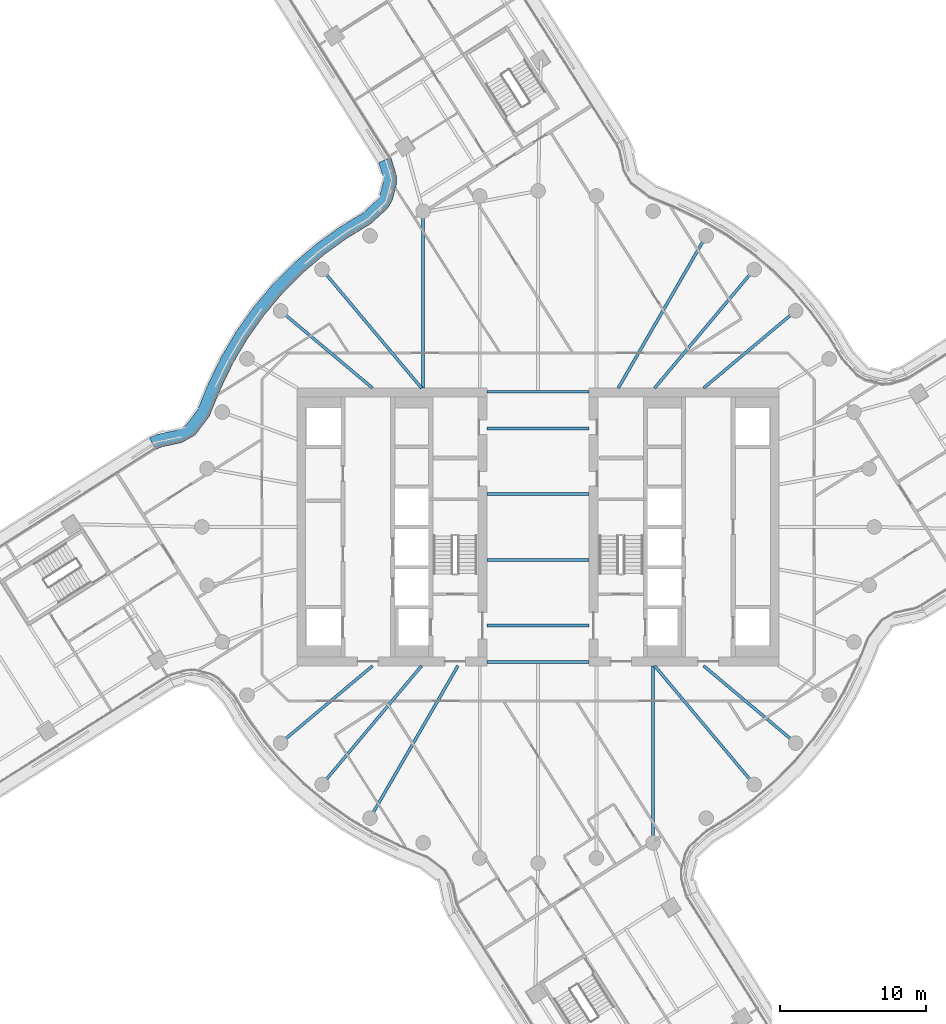
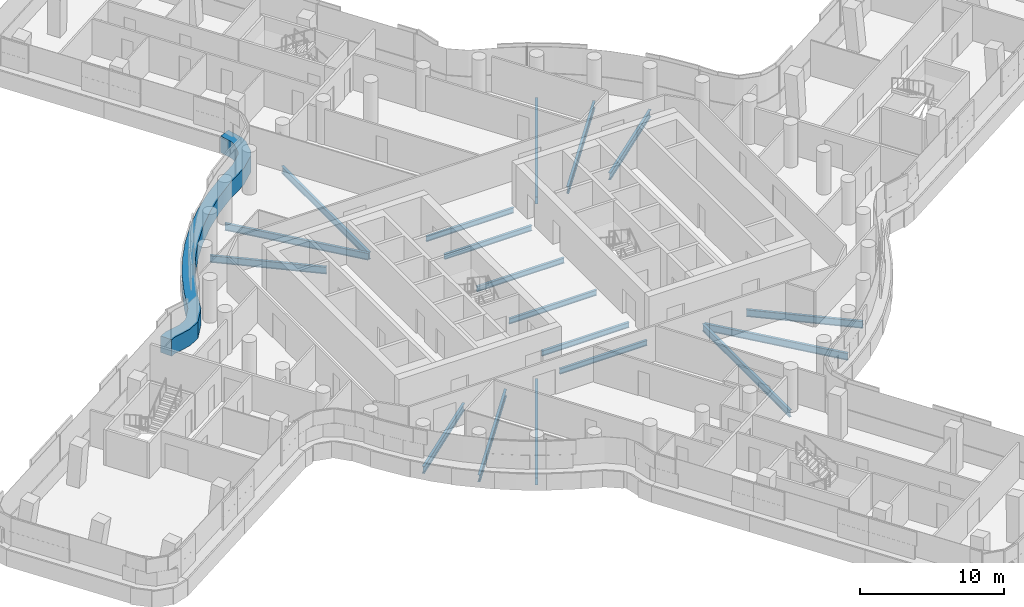
# One storey, part 10 of 36: 18 beams, 1 member, 1 element without a shape of its own.
"""IFC4 building model written with IfcOpenShell, lengths in metres."""

from ifc_helpers import new_model, si_unit, direction, frame, origin, origin_2d, place, context, subcontext, project, spatial, polyline, i_section, outline, extrude, material, layer, layer_set, material_profile, profile_set, type_object, element, aggregate, save


model = new_model("IFC4")

# Units and contexts
model_context = context("Model", 3, precision=1e-05, world=origin(), true_north=direction((0.0, 1.0)))
body_context = subcontext(model_context, "Body", "Model", "MODEL_VIEW")
ifc_project = project(units=[si_unit("LENGTHUNIT", "METRE"), si_unit("AREAUNIT", "SQUARE_METRE"), si_unit("VOLUMEUNIT", "CUBIC_METRE"), si_unit("PLANEANGLEUNIT", "RADIAN"), si_unit("MASSUNIT", "GRAM", prefix="KILO")], contexts=[model_context])

# Site, building, storey
site_placement = place(None, origin())
site = spatial("IfcSite", under=ifc_project, at=site_placement, CompositionType="ELEMENT")
building_placement = place(site_placement, origin())
building = spatial("IfcBuilding", under=site, at=building_placement, Name="Tamarind Cross Interchange Tower", CompositionType="ELEMENT")
storey_placement = place(building_placement, frame((0.0, 0.0, 151.75)))
storey = spatial("IfcBuildingStorey", under=building, at=storey_placement, Name="L37", CompositionType="ELEMENT", Elevation=151.75)

# Beams
ifc_material_1 = material(Name="Steel Q355B", Category="steel")
ifc_material_profile_1 = material_profile(ifc_material_1, i_section(OverallWidth=0.198974609375, OverallDepth=0.446044921875, WebThickness=0.008056640625, FlangeThickness=0.011962890625, FilletRadius=0.012939453125, at=origin_2d()), Name="HN 446x199x8x12")
ifc_profile_set_1 = profile_set([ifc_material_profile_1], Name="Steel Q355B")
beam_type_1 = type_object("IfcBeamType", Name="Composite beam HN 446x199x8x12 Q355B", PredefinedType="BEAM", material=ifc_profile_set_1)
for number, where, z_axis, x_axis, name in (
    (1, (-3.5, -2.25, -0.363037109375), (1.0, 0.0, 0.0), (0.0, 1.0, 0.0), "Beam G-2.25"),
    (2, (-3.5, -6.75, -0.363037109375), (1.0, 0.0, 0.0), (0.0, 1.0, 0.0), "Beam G-6.75"),
    (3, (-3.5, -9.25, -0.363037109375), (1.0, 0.0, 0.0), (0.0, 1.0, 0.0), "Beam G-9.25"),
    (4, (-3.5, 2.25, -0.363037109375), (1.0, 0.0, 0.0), (0.0, 1.0, 0.0), "Beam G2.25"),
    (5, (-3.5, 6.75, -0.363037109375), (1.0, 0.0, 0.0), (0.0, 1.0, 0.0), "Beam G6.75"),
    (6, (-3.5, 9.25, -0.363037109375), (1.0, 0.0, 0.0), (0.0, 1.0, 0.0), "Beam G9.25"),
):
    element("IfcBeam", number, at=place(storey_placement, frame(where, z_axis=z_axis, x_axis=x_axis)), inside=storey, type_object=beam_type_1, Name=name, PredefinedType="BEAM", context=body_context, shape_type="SweptSolid", body=[
        extrude(i_section(OverallWidth=0.198974609375, OverallDepth=0.446044921875, WebThickness=0.008056640625, FlangeThickness=0.011962890625, FilletRadius=0.012939453125, at=origin_2d()), origin(), (0.0, 0.0, 1.0), 7.0),
    ])
ifc_material_profile_2 = material_profile(ifc_material_1, i_section(OverallWidth=0.198974609375, OverallDepth=0.595947265625, WebThickness=0.010009765625, FlangeThickness=0.014892578125, FilletRadius=0.012939453125, at=origin_2d()), Name="HN 596x199x10x15")
ifc_profile_set_2 = profile_set([ifc_material_profile_2], Name="Steel Q355B")
beam_type_2 = type_object("IfcBeamType", Name="Composite beam HN 596x199x10x15 Q355B", PredefinedType="BEAM", material=ifc_profile_set_2)
beam_1_placement = place(storey_placement, frame((17.619140625, 14.7841796875, -0.43798828125), z_axis=(-0.766040580814, -0.642792212574, 0.0), x_axis=(0.642792212574, -0.766040580814, 0.0)))
element("IfcBeam", 7, at=beam_1_placement, inside=storey, type_object=beam_type_2, Name="Beam HH04", PredefinedType="BEAM", context=body_context, shape_type="SweptSolid", body=[
    extrude(i_section(OverallWidth=0.198974609375, OverallDepth=0.595947265625, WebThickness=0.010009765625, FlangeThickness=0.014892578125, FilletRadius=0.012939453125, at=origin_2d()), origin(), (0.0, 0.0, 1.0), 8.220703125),
])
beam_2_placement = place(storey_placement, frame((14.7841796875, 17.619140625, -0.43798828125), z_axis=(-0.642786293979, -0.766045547127, 0.0), x_axis=(0.766045547127, -0.642786293979, 0.0)))
element("IfcBeam", 8, at=beam_2_placement, inside=storey, type_object=beam_type_2, Name="Beam HH05", PredefinedType="BEAM", context=body_context, shape_type="SweptSolid", body=[
    extrude(i_section(OverallWidth=0.198974609375, OverallDepth=0.595947265625, WebThickness=0.010009765625, FlangeThickness=0.014892578125, FilletRadius=0.012939453125, at=origin_2d()), origin(), (0.0, 0.0, 1.0), 10.598876953125),
])
beam_3_placement = place(storey_placement, frame((11.5, 19.918701171875, -0.43798828125), z_axis=(-0.499993565836, -0.866029118519, 0.0), x_axis=(0.866029118519, -0.499993565836, 0.0)))
element("IfcBeam", 9, at=beam_3_placement, inside=storey, type_object=beam_type_2, Name="Beam HH06", PredefinedType="BEAM", context=body_context, shape_type="SweptSolid", body=[
    extrude(i_section(OverallWidth=0.198974609375, OverallDepth=0.595947265625, WebThickness=0.010009765625, FlangeThickness=0.014892578125, FilletRadius=0.012939453125, at=origin_2d()), origin(), (0.0, 0.0, 1.0), 12.030517578125),
])
beam_4_placement = place(storey_placement, frame((-7.866455078125, 21.613037109375, -0.43798828125), z_axis=(0.0, -1.0, 0.0), x_axis=(1.0, 0.0, 0.0)))
element("IfcBeam", 10, at=beam_4_placement, inside=storey, type_object=beam_type_2, Name="Beam HH11", PredefinedType="BEAM", context=body_context, shape_type="SweptSolid", body=[
    extrude(i_section(OverallWidth=0.198974609375, OverallDepth=0.595947265625, WebThickness=0.010009765625, FlangeThickness=0.014892578125, FilletRadius=0.012939453125, at=origin_2d()), origin(), (0.0, 0.0, 1.0), 12.113037109375),
])
beam_5_placement = place(storey_placement, frame((-14.7841796875, 17.619140625, -0.43798828125), z_axis=(0.642786293979, -0.766045547127, 0.0), x_axis=(0.766045547127, 0.642786293979, 0.0)))
element("IfcBeam", 11, at=beam_5_placement, inside=storey, type_object=beam_type_2, Name="Beam HH13", PredefinedType="BEAM", context=body_context, shape_type="SweptSolid", body=[
    extrude(i_section(OverallWidth=0.198974609375, OverallDepth=0.595947265625, WebThickness=0.010009765625, FlangeThickness=0.014892578125, FilletRadius=0.012939453125, at=origin_2d()), origin(), (0.0, 0.0, 1.0), 10.598876953125),
])
for number, where, z_axis, x_axis, name in (
    (12, (-17.619140625, 14.7841796875, -0.43798828125), (0.766040580814, -0.642792212574, 0.0), (0.642792212574, 0.766040580814, 0.0), "Beam HH14"),
    (13, (-17.619140625, -14.7841796875, -0.43798828125), (0.766040580814, 0.642792212574, 0.0), (-0.642792212574, 0.766040580814, 0.0), "Beam HH22"),
):
    element("IfcBeam", number, at=place(storey_placement, frame(where, z_axis=z_axis, x_axis=x_axis)), inside=storey, type_object=beam_type_2, Name=name, PredefinedType="BEAM", context=body_context, shape_type="SweptSolid", body=[
        extrude(i_section(OverallWidth=0.198974609375, OverallDepth=0.595947265625, WebThickness=0.010009765625, FlangeThickness=0.014892578125, FilletRadius=0.012939453125, at=origin_2d()), origin(), (0.0, 0.0, 1.0), 8.220703125),
    ])
beam_6_placement = place(storey_placement, frame((-14.7841796875, -17.619140625, -0.43798828125), z_axis=(0.642786293979, 0.766045547127, 0.0), x_axis=(-0.766045547127, 0.642786293979, 0.0)))
element("IfcBeam", 14, at=beam_6_placement, inside=storey, type_object=beam_type_2, Name="Beam HH23", PredefinedType="BEAM", context=body_context, shape_type="SweptSolid", body=[
    extrude(i_section(OverallWidth=0.198974609375, OverallDepth=0.595947265625, WebThickness=0.010009765625, FlangeThickness=0.014892578125, FilletRadius=0.012939453125, at=origin_2d()), origin(), (0.0, 0.0, 1.0), 10.598876953125),
])
beam_7_placement = place(storey_placement, frame((-11.5, -19.918701171875, -0.43798828125), z_axis=(0.499993565836, 0.866029118519, 0.0), x_axis=(-0.866029118519, 0.499993565836, 0.0)))
element("IfcBeam", 15, at=beam_7_placement, inside=storey, type_object=beam_type_2, Name="Beam HH24", PredefinedType="BEAM", context=body_context, shape_type="SweptSolid", body=[
    extrude(i_section(OverallWidth=0.198974609375, OverallDepth=0.595947265625, WebThickness=0.010009765625, FlangeThickness=0.014892578125, FilletRadius=0.012939453125, at=origin_2d()), origin(), (0.0, 0.0, 1.0), 12.030517578125),
])
beam_8_placement = place(storey_placement, frame((7.866455078125, -21.613037109375, -0.43798828125), z_axis=(0.0, 1.0, 0.0), x_axis=(-1.0, 0.0, 0.0)))
element("IfcBeam", 16, at=beam_8_placement, inside=storey, type_object=beam_type_2, Name="Beam HH29", PredefinedType="BEAM", context=body_context, shape_type="SweptSolid", body=[
    extrude(i_section(OverallWidth=0.198974609375, OverallDepth=0.595947265625, WebThickness=0.010009765625, FlangeThickness=0.014892578125, FilletRadius=0.012939453125, at=origin_2d()), origin(), (0.0, 0.0, 1.0), 12.113037109375),
])
beam_9_placement = place(storey_placement, frame((14.7841796875, -17.619140625, -0.43798828125), z_axis=(-0.642786293979, 0.766045547127, 0.0), x_axis=(-0.766045547127, -0.642786293979, 0.0)))
element("IfcBeam", 17, at=beam_9_placement, inside=storey, type_object=beam_type_2, Name="Beam HH31", PredefinedType="BEAM", context=body_context, shape_type="SweptSolid", body=[
    extrude(i_section(OverallWidth=0.198974609375, OverallDepth=0.595947265625, WebThickness=0.010009765625, FlangeThickness=0.014892578125, FilletRadius=0.012939453125, at=origin_2d()), origin(), (0.0, 0.0, 1.0), 10.598876953125),
])
beam_10_placement = place(storey_placement, frame((17.619140625, -14.7841796875, -0.43798828125), z_axis=(-0.766040580814, 0.642792212574, 0.0), x_axis=(-0.642792212574, -0.766040580814, 0.0)))
element("IfcBeam", 18, at=beam_10_placement, inside=storey, type_object=beam_type_2, Name="Beam HH32", PredefinedType="BEAM", context=body_context, shape_type="SweptSolid", body=[
    extrude(i_section(OverallWidth=0.198974609375, OverallDepth=0.595947265625, WebThickness=0.010009765625, FlangeThickness=0.014892578125, FilletRadius=0.012939453125, at=origin_2d()), origin(), (0.0, 0.0, 1.0), 8.220703125),
])

# Curtain wall, member
ifc_material_2 = material(Name="Aluminium 6063-T6", Category="aluminium")
ifc_layer = layer(ifc_material_2, 0.159912109375)
ifc_layer_set = layer_set([ifc_layer], Name="Aluminium 6063-T6")
curtain_wall_type = type_object("IfcCurtainWallType", Name="Office curtain wall, 9.0 m bays", PredefinedType="NOTDEFINED", material=ifc_layer_set)
curtain_wall_placement = place(storey_placement, origin())
curtain_wall = element("IfcCurtainWall", 19, at=curtain_wall_placement, inside=storey, type_object=curtain_wall_type, Name="CWS-L37-02", PredefinedType="NOTDEFINED")
ifc_material_3 = material(Name="Aluminium and insulated spandrel panel", Category="aluminium")
member_type = type_object("IfcMemberType", Name="Floor-edge blade transom", PredefinedType="USERDEFINED", material=ifc_material_3)
member_placement = place(storey_placement, origin())
member = element("IfcMember", 20, at=member_placement, type_object=member_type, Name="CWT-L37-02", ObjectType="TRANSOM", PredefinedType="USERDEFINED", context=body_context, shape_type="SweptSolid", body=[
    extrude(outline(polyline([(-10.07470703125, 25.30517578125), (-9.70361328125, 24.06982421875), (-9.692138671875, 23.457763671875), (-9.982421875, 22.3427734375), (-10.29296875, 21.810302734375), (-11.46826171875, 20.731201171875), (-13.04541015625, 19.78125), (-14.634521484375, 18.636474609375), (-16.12353515625, 17.3642578125), (-17.50244140625, 15.973388671875), (-18.76171875, 14.4736328125), (-19.892822265625, 12.874755859375), (-20.88818359375, 11.188232421875), (-21.741943359375, 9.422119140625), (-22.506103515625, 7.56005859375), (-23.4736328125, 6.28857421875), (-24.40234375, 5.769287109375), (-25.041259765625, 5.631103515625), (-25.73779296875, 5.490966796875), (-26.161376953125, 5.294677734375), (-26.59375, 6.086181640625), (-26.019775390625, 6.352294921875), (-25.22509765625, 6.51220703125), (-24.72412109375, 6.62060546875), (-24.076416015625, 6.982666015625), (-23.293701171875, 8.010986328125), (-22.564208984375, 9.7890625), (-21.68212890625, 11.613525390625), (-20.64892578125, 13.3642578125), (-19.474853515625, 15.023681640625), (-18.167724609375, 16.580810546875), (-16.736572265625, 18.0244140625), (-15.19091796875, 19.344970703125), (-13.54150390625, 20.533203125), (-12.01025390625, 21.455322265625), (-11.001708984375, 22.38134765625), (-10.822265625, 22.689208984375), (-10.59423828125, 23.564697265625), (-10.60107421875, 23.92919921875), (-10.9013671875, 24.928466796875), (-10.07470703125, 25.30517578125)])), origin(), (0.0, 0.0, 1.0), 1.39990234375),
])
aggregate(curtain_wall, [member])

save(model, "model.ifc")
